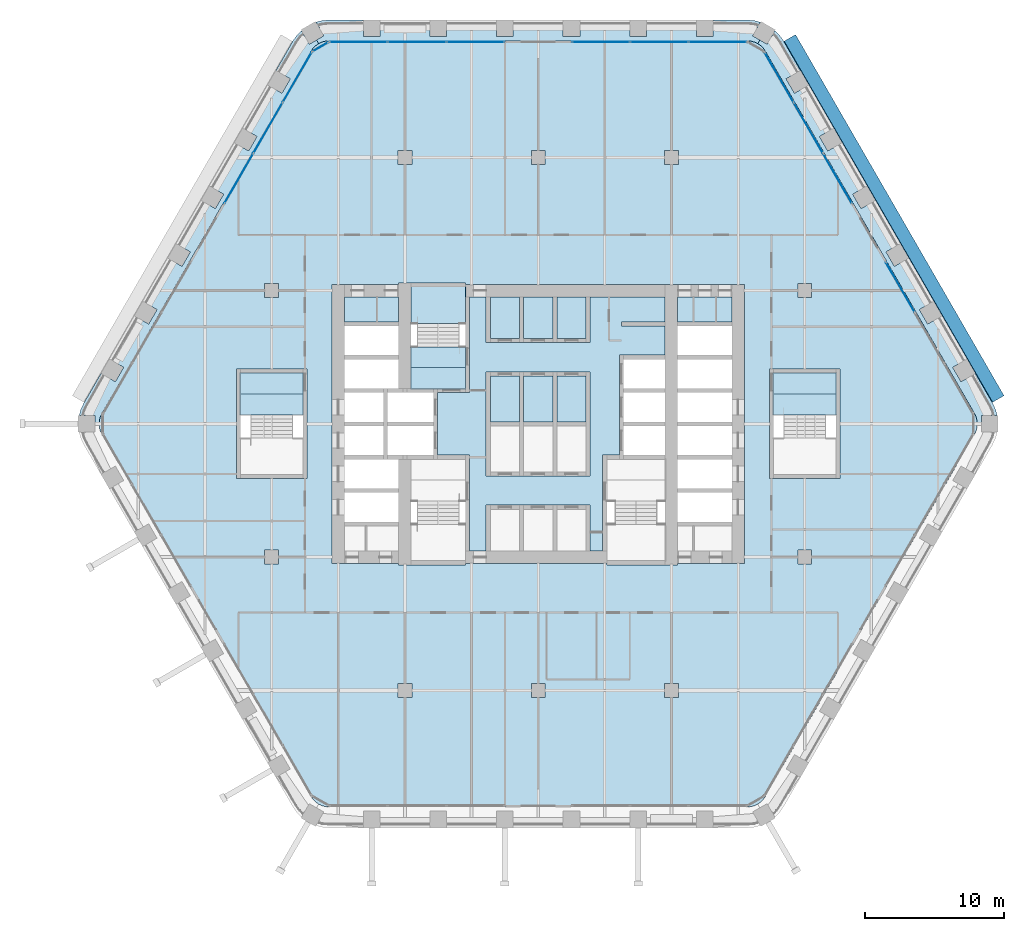
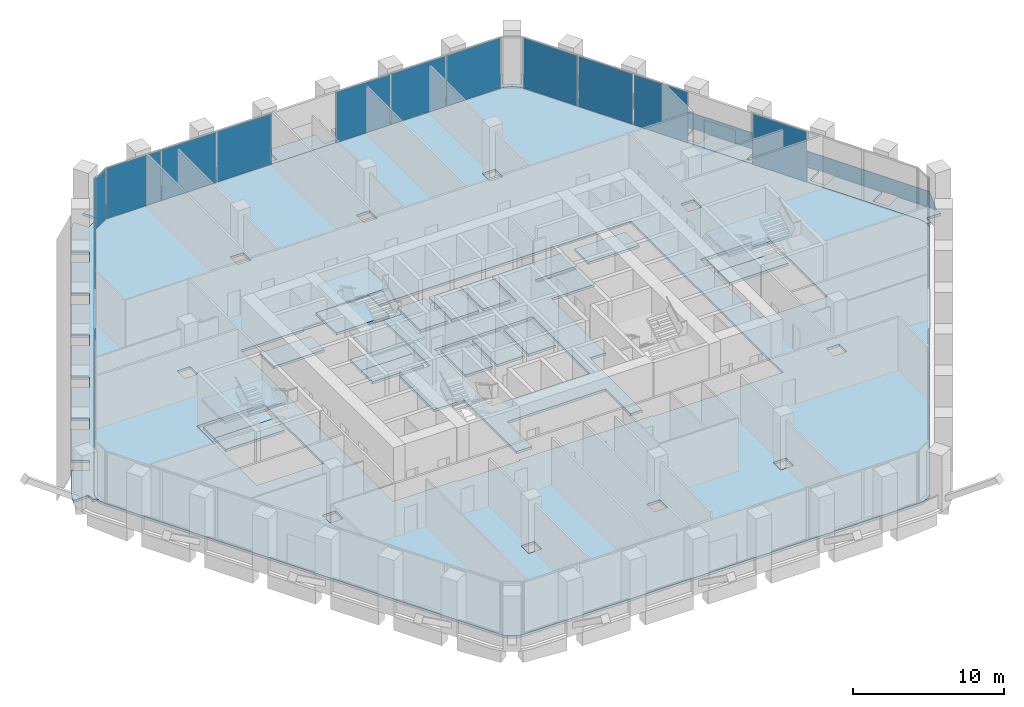
# One storey, part 13 of 26: 24 slabs, 15 plates, 9 elements without a shape of their own.
"""IFC4 building model written with IfcOpenShell, lengths in metres."""

from ifc_helpers import new_model, si_unit, direction, frame, origin, origin_2d, place, context, subcontext, project, spatial, polyline, rectangle, outline, extrude, material, layer, layer_set, type_object, element, aggregate, save


model = new_model("IFC4")

# Units and contexts
model_context = context("Model", 3, precision=1e-05, world=origin(), true_north=direction((0.0, 1.0)))
body_context = subcontext(model_context, "Body", "Model", "MODEL_VIEW")
ifc_project = project(units=[si_unit("LENGTHUNIT", "METRE"), si_unit("AREAUNIT", "SQUARE_METRE"), si_unit("VOLUMEUNIT", "CUBIC_METRE"), si_unit("PLANEANGLEUNIT", "RADIAN"), si_unit("MASSUNIT", "GRAM", prefix="KILO")], contexts=[model_context])

# Site, building, storey
site_placement = place(None, origin())
site = spatial("IfcSite", under=ifc_project, at=site_placement, CompositionType="ELEMENT")
building_placement = place(site_placement, origin())
building = spatial("IfcBuilding", under=site, at=building_placement, Name="Kolab Exchange Tower", CompositionType="ELEMENT")
storey_placement = place(building_placement, frame((0.0, 0.0, 104.89990234375)))
storey = spatial("IfcBuildingStorey", under=building, at=storey_placement, Name="L20", CompositionType="ELEMENT", Elevation=104.89990234375)

# Slabs
ifc_material_1 = material(Name="Concrete C35/45", Category="concrete")
ifc_layer_1 = layer(ifc_material_1, 0.199951171875)
ifc_layer_set_1 = layer_set([ifc_layer_1], Name="Concrete C35/45")
slab_type_1 = type_object("IfcSlabType", Name="FLOOR SLAB 200", PredefinedType="FLOOR", material=ifc_layer_set_1)
slab_1_placement = place(storey_placement, frame((0.0, 0.0, -0.199951171875)))
element("IfcSlab", 1, at=slab_1_placement, inside=storey, type_object=slab_type_1, Name="slab/L20/floor/0", PredefinedType="FLOOR", context=body_context, shape_type="SweptSolid", body=[
    extrude(outline(polyline([(16.366943359375, -26.848388671875), (31.434814453125, -0.75), (31.54541015625, -0.512939453125), (31.613037109375, -0.260498046875), (31.635986328125, 0.0), (31.613037109375, 0.260498046875), (31.54541015625, 0.512939453125), (31.434814453125, 0.75), (16.366943359375, 26.848388671875), (16.217041015625, 27.062744140625), (16.0322265625, 27.24755859375), (15.81787109375, 27.3974609375), (15.5810546875, 27.508056640625), (15.328369140625, 27.57568359375), (15.06787109375, 27.598388671875), (-15.06787109375, 27.598388671875), (-15.328369140625, 27.57568359375), (-15.5810546875, 27.508056640625), (-15.81787109375, 27.3974609375), (-16.0322265625, 27.24755859375), (-16.217041015625, 27.062744140625), (-16.366943359375, 26.848388671875), (-31.434814453125, 0.75), (-31.54541015625, 0.512939453125), (-31.613037109375, 0.260498046875), (-31.635986328125, 0.0), (-31.613037109375, -0.260498046875), (-31.54541015625, -0.512939453125), (-31.434814453125, -0.75), (-16.366943359375, -26.848388671875), (-16.217041015625, -27.062744140625), (-16.0322265625, -27.24755859375), (-15.81787109375, -27.3974609375), (-15.5810546875, -27.508056640625), (-15.328369140625, -27.57568359375), (-15.06787109375, -27.598388671875), (15.06787109375, -27.598388671875), (15.328369140625, -27.57568359375), (15.5810546875, -27.508056640625), (15.81787109375, -27.3974609375), (16.0322265625, -27.24755859375), (16.217041015625, -27.062744140625), (16.366943359375, -26.848388671875)]), holes=[polyline([(-13.949951171875, -10.050048828125), (-14.85009765625, -10.050048828125), (-14.85009765625, 10.050048828125), (-13.949951171875, 10.050048828125), (-10.050048828125, 10.050048828125), (-10.050048828125, 10.14990234375), (-9.14990234375, 10.14990234375), (-5.25, 10.14990234375), (-5.25, 10.050048828125), (9.14990234375, 10.050048828125), (10.050048828125, 10.050048828125), (13.949951171875, 10.050048828125), (14.85009765625, 10.050048828125), (14.85009765625, -10.050048828125), (13.949951171875, -10.050048828125), (10.050048828125, -10.050048828125), (10.050048828125, -10.14990234375), (9.14990234375, -10.14990234375), (4.949951171875, -10.14990234375), (4.949951171875, -10.050048828125), (-5.25, -10.050048828125), (-5.25, -10.14990234375), (-9.14990234375, -10.14990234375), (-10.050048828125, -10.14990234375), (-10.050048828125, -10.050048828125), (-13.949951171875, -10.050048828125)]), polyline([(-18.699951171875, -9.10009765625), (-18.699951171875, -10.10009765625), (-19.699951171875, -10.10009765625), (-19.699951171875, -9.10009765625), (-18.699951171875, -9.10009765625)]), polyline([(-21.449951171875, -3.949951171875), (-21.75, -3.949951171875), (-21.75, 3.949951171875), (-21.449951171875, 3.949951171875), (-16.949951171875, 3.949951171875), (-16.64990234375, 3.949951171875), (-16.64990234375, -3.949951171875), (-16.949951171875, -3.949951171875), (-21.449951171875, -3.949951171875)]), polyline([(-18.699951171875, 10.10009765625), (-18.699951171875, 9.10009765625), (-19.699951171875, 9.10009765625), (-19.699951171875, 10.10009765625), (-18.699951171875, 10.10009765625)]), polyline([(-9.10009765625, -18.699951171875), (-9.10009765625, -19.699951171875), (-10.10009765625, -19.699951171875), (-10.10009765625, -18.699951171875), (-9.10009765625, -18.699951171875)]), polyline([(-9.10009765625, 19.699951171875), (-9.10009765625, 18.699951171875), (-10.10009765625, 18.699951171875), (-10.10009765625, 19.699951171875), (-9.10009765625, 19.699951171875)]), polyline([(9.10009765625, -18.699951171875), (10.10009765625, -18.699951171875), (10.10009765625, -19.699951171875), (9.10009765625, -19.699951171875), (9.10009765625, -18.699951171875)]), polyline([(-0.5, -18.699951171875), (0.5, -18.699951171875), (0.5, -19.699951171875), (-0.5, -19.699951171875), (-0.5, -18.699951171875)]), polyline([(0.5, 19.699951171875), (0.5, 18.699951171875), (-0.5, 18.699951171875), (-0.5, 19.699951171875), (0.5, 19.699951171875)]), polyline([(10.10009765625, 19.699951171875), (10.10009765625, 18.699951171875), (9.10009765625, 18.699951171875), (9.10009765625, 19.699951171875), (10.10009765625, 19.699951171875)]), polyline([(19.699951171875, -9.10009765625), (19.699951171875, -10.10009765625), (18.699951171875, -10.10009765625), (18.699951171875, -9.10009765625), (19.699951171875, -9.10009765625)]), polyline([(21.449951171875, 3.949951171875), (21.75, 3.949951171875), (21.75, -3.949951171875), (21.449951171875, -3.949951171875), (16.949951171875, -3.949951171875), (16.64990234375, -3.949951171875), (16.64990234375, 3.949951171875), (16.949951171875, 3.949951171875), (21.449951171875, 3.949951171875)]), polyline([(19.699951171875, 10.10009765625), (19.699951171875, 9.10009765625), (18.699951171875, 9.10009765625), (18.699951171875, 10.10009765625), (19.699951171875, 10.10009765625)])]), origin(), (0.0, 0.0, 1.0), 0.199951171875),
])
slab_2_placement = place(storey_placement, frame((0.0, 0.0, -0.199951171875)))
element("IfcSlab", 2, at=slab_2_placement, inside=storey, type_object=slab_type_1, Name="slab/L20/floor/1", PredefinedType="FLOOR", context=body_context, shape_type="SweptSolid", body=[
    extrude(outline(polyline([(-4.949951171875, 9.14990234375), (-4.949951171875, 2.25), (-5.25, 2.25), (-7.25, 2.25), (-7.25, -2.25), (-5.25, -2.25), (-4.949951171875, -2.25), (-4.949951171875, -9.14990234375), (-3.75, -9.14990234375), (-3.75, -5.85009765625), (-3.449951171875, -5.85009765625), (-1.35009765625, -5.85009765625), (-1.050048828125, -5.85009765625), (1.050048828125, -5.85009765625), (1.35009765625, -5.85009765625), (3.449951171875, -5.85009765625), (3.75, -5.85009765625), (3.75, -9.14990234375), (4.64990234375, -9.14990234375), (4.64990234375, -2.25), (4.949951171875, -2.25), (5.85009765625, -2.25), (5.85009765625, 4.949951171875), (6.14990234375, 4.949951171875), (9.14990234375, 4.949951171875), (9.14990234375, 7.050048828125), (6.0, 7.050048828125), (6.0, 7.35009765625), (9.14990234375, 7.35009765625), (9.14990234375, 9.14990234375), (3.75, 9.14990234375), (3.75, 5.85009765625), (3.449951171875, 5.85009765625), (1.35009765625, 5.85009765625), (1.050048828125, 5.85009765625), (-1.050048828125, 5.85009765625), (-1.35009765625, 5.85009765625), (-3.449951171875, 5.85009765625), (-3.75, 5.85009765625), (-3.75, 9.14990234375), (-4.949951171875, 9.14990234375)]), holes=[polyline([(-3.75, -3.75), (-3.75, 3.75), (-3.449951171875, 3.75), (-1.35009765625, 3.75), (-1.050048828125, 3.75), (1.050048828125, 3.75), (1.35009765625, 3.75), (3.449951171875, 3.75), (3.75, 3.75), (3.75, -3.75), (3.449951171875, -3.75), (1.35009765625, -3.75), (1.050048828125, -3.75), (-1.050048828125, -3.75), (-1.35009765625, -3.75), (-3.449951171875, -3.75), (-3.75, -3.75)])]), origin(), (0.0, 0.0, 1.0), 0.199951171875),
])
slab_3_placement = place(storey_placement, frame((0.0, 0.0, -0.199951171875)))
element("IfcSlab", 3, at=slab_3_placement, inside=storey, type_object=slab_type_1, Name="slab/L20/floor/3", PredefinedType="FLOOR", context=body_context, shape_type="SweptSolid", body=[
    extrude(outline(polyline([(-10.050048828125, 9.14990234375), (-13.949951171875, 9.14990234375), (-13.949951171875, 7.35009765625), (-10.050048828125, 7.35009765625), (-10.050048828125, 9.14990234375)])), origin(), (0.0, 0.0, 1.0), 0.199951171875),
])
slab_4_placement = place(storey_placement, frame((0.0, 0.0, -0.199951171875)))
element("IfcSlab", 4, at=slab_4_placement, inside=storey, type_object=slab_type_1, Name="slab/L20/floor/5", PredefinedType="FLOOR", context=body_context, shape_type="SweptSolid", body=[
    extrude(outline(polyline([(13.949951171875, 9.14990234375), (10.050048828125, 9.14990234375), (10.050048828125, 7.35009765625), (13.949951171875, 7.35009765625), (13.949951171875, 9.14990234375)])), origin(), (0.0, 0.0, 1.0), 0.199951171875),
])
slab_5_placement = place(storey_placement, frame((0.0, 0.0, -0.199951171875)))
element("IfcSlab", 5, at=slab_5_placement, inside=storey, type_object=slab_type_1, Name="slab/L20/floor/7", PredefinedType="FLOOR", context=body_context, shape_type="SweptSolid", body=[
    extrude(outline(polyline([(-1.35009765625, 0.14990234375), (-1.35009765625, 3.449951171875), (-3.449951171875, 3.449951171875), (-3.449951171875, 0.14990234375), (-1.35009765625, 0.14990234375)])), origin(), (0.0, 0.0, 1.0), 0.199951171875),
])
slab_6_placement = place(storey_placement, frame((0.0, 0.0, -0.199951171875)))
element("IfcSlab", 6, at=slab_6_placement, inside=storey, type_object=slab_type_1, Name="slab/L20/floor/9", PredefinedType="FLOOR", context=body_context, shape_type="SweptSolid", body=[
    extrude(outline(polyline([(-1.050048828125, 3.449951171875), (-1.050048828125, 0.14990234375), (1.050048828125, 0.14990234375), (1.050048828125, 3.449951171875), (-1.050048828125, 3.449951171875)])), origin(), (0.0, 0.0, 1.0), 0.199951171875),
])
slab_7_placement = place(storey_placement, frame((0.0, 0.0, -0.199951171875)))
element("IfcSlab", 7, at=slab_7_placement, inside=storey, type_object=slab_type_1, Name="slab/L20/floor/11", PredefinedType="FLOOR", context=body_context, shape_type="SweptSolid", body=[
    extrude(outline(polyline([(1.35009765625, 0.14990234375), (3.449951171875, 0.14990234375), (3.449951171875, 3.449951171875), (1.35009765625, 3.449951171875), (1.35009765625, 0.14990234375)])), origin(), (0.0, 0.0, 1.0), 0.199951171875),
])
slab_8_placement = place(storey_placement, frame((0.0, 0.0, -0.199951171875)))
element("IfcSlab", 8, at=slab_8_placement, inside=storey, type_object=slab_type_1, Name="slab/L20/floor/12", PredefinedType="FLOOR", context=body_context, shape_type="SweptSolid", body=[
    extrude(outline(polyline([(-21.449951171875, 3.64990234375), (-21.449951171875, 2.14990234375), (-16.949951171875, 2.14990234375), (-16.949951171875, 3.64990234375), (-21.449951171875, 3.64990234375)])), origin(), (0.0, 0.0, 1.0), 0.199951171875),
])
slab_9_placement = place(storey_placement, frame((0.0, 0.0, -0.199951171875)))
element("IfcSlab", 9, at=slab_9_placement, inside=storey, type_object=slab_type_1, Name="slab/L20/floor/13", PredefinedType="FLOOR", context=body_context, shape_type="SweptSolid", body=[
    extrude(outline(polyline([(21.449951171875, 3.64990234375), (16.949951171875, 3.64990234375), (16.949951171875, 2.14990234375), (21.449951171875, 2.14990234375), (21.449951171875, 3.64990234375)])), origin(), (0.0, 0.0, 1.0), 0.199951171875),
])
slab_10_placement = place(storey_placement, frame((0.0, 0.0, -0.199951171875)))
element("IfcSlab", 10, at=slab_10_placement, inside=storey, type_object=slab_type_1, Name="slab/L20/floor/15", PredefinedType="FLOOR", context=body_context, shape_type="SweptSolid", body=[
    extrude(outline(polyline([(-1.35009765625, 6.14990234375), (-1.35009765625, 9.14990234375), (-3.449951171875, 9.14990234375), (-3.449951171875, 6.14990234375), (-1.35009765625, 6.14990234375)])), origin(), (0.0, 0.0, 1.0), 0.199951171875),
])
slab_11_placement = place(storey_placement, frame((0.0, 0.0, -0.199951171875)))
element("IfcSlab", 11, at=slab_11_placement, inside=storey, type_object=slab_type_1, Name="slab/L20/floor/17", PredefinedType="FLOOR", context=body_context, shape_type="SweptSolid", body=[
    extrude(outline(polyline([(-1.050048828125, 9.14990234375), (-1.050048828125, 6.14990234375), (1.050048828125, 6.14990234375), (1.050048828125, 9.14990234375), (-1.050048828125, 9.14990234375)])), origin(), (0.0, 0.0, 1.0), 0.199951171875),
])
slab_12_placement = place(storey_placement, frame((0.0, 0.0, -0.199951171875)))
element("IfcSlab", 12, at=slab_12_placement, inside=storey, type_object=slab_type_1, Name="slab/L20/floor/19", PredefinedType="FLOOR", context=body_context, shape_type="SweptSolid", body=[
    extrude(outline(polyline([(1.35009765625, 6.14990234375), (3.449951171875, 6.14990234375), (3.449951171875, 9.14990234375), (1.35009765625, 9.14990234375), (1.35009765625, 6.14990234375)])), origin(), (0.0, 0.0, 1.0), 0.199951171875),
])
slab_13_placement = place(storey_placement, frame((0.0, 0.0, -0.199951171875)))
element("IfcSlab", 13, at=slab_13_placement, inside=storey, type_object=slab_type_1, Name="slab/L20/floor/22", PredefinedType="FLOOR", context=body_context, shape_type="SweptSolid", body=[
    extrude(outline(polyline([(-5.25, 4.050048828125), (-9.14990234375, 4.050048828125), (-9.14990234375, 2.550048828125), (-7.550048828125, 2.550048828125), (-7.25, 2.550048828125), (-5.25, 2.550048828125), (-5.25, 4.050048828125)])), origin(), (0.0, 0.0, 1.0), 0.199951171875),
])
ifc_layer_2 = layer(ifc_material_1, 0.199951171875)
ifc_layer_set_2 = layer_set([ifc_layer_2], Name="Concrete C35/45")
slab_type_2 = type_object("IfcSlabType", Name="LOGGIA SLAB 200", PredefinedType="FLOOR", material=ifc_layer_set_2)
slab_14_placement = place(storey_placement, frame((0.0, 0.0, -0.199951171875)))
element("IfcSlab", 14, at=slab_14_placement, inside=storey, type_object=slab_type_2, Name="slab/L20/loggia/0-0", PredefinedType="FLOOR", context=body_context, shape_type="SweptSolid", body=[
    extrude(outline(polyline([(15.81787109375, 27.3974609375), (15.968017578125, 27.6572265625), (15.4482421875, 27.957275390625), (16.014892578125, 28.938720703125), (15.5888671875, 29.052978515625), (15.06787109375, 29.098388671875), (12.60009765625, 29.098388671875), (12.60009765625, 27.8984375), (11.39990234375, 27.8984375), (11.39990234375, 29.098388671875), (7.800048828125, 29.098388671875), (7.800048828125, 27.8984375), (6.60009765625, 27.8984375), (6.60009765625, 29.098388671875), (3.0, 29.098388671875), (3.0, 27.8984375), (1.800048828125, 27.8984375), (1.800048828125, 29.098388671875), (-1.800048828125, 29.098388671875), (-1.800048828125, 27.8984375), (-3.0, 27.8984375), (-3.0, 29.098388671875), (-6.60009765625, 29.098388671875), (-6.60009765625, 27.8984375), (-7.800048828125, 27.8984375), (-7.800048828125, 29.098388671875), (-11.39990234375, 29.098388671875), (-11.39990234375, 27.8984375), (-12.60009765625, 27.8984375), (-12.60009765625, 29.098388671875), (-15.06787109375, 29.098388671875), (-15.5888671875, 29.052978515625), (-16.014892578125, 28.938720703125), (-15.4482421875, 27.957275390625), (-15.968017578125, 27.6572265625), (-15.81787109375, 27.3974609375), (-15.5810546875, 27.508056640625), (-15.328369140625, 27.57568359375), (-15.06787109375, 27.598388671875), (15.06787109375, 27.598388671875), (15.328369140625, 27.57568359375), (15.5810546875, 27.508056640625), (15.81787109375, 27.3974609375)])), origin(), (0.0, 0.0, 1.0), 0.199951171875),
])
slab_15_placement = place(storey_placement, frame((0.0, 0.0, -0.199951171875)))
element("IfcSlab", 15, at=slab_15_placement, inside=storey, type_object=slab_type_2, Name="slab/L20/loggia/1-0", PredefinedType="FLOOR", context=body_context, shape_type="SweptSolid", body=[
    extrude(outline(polyline([(31.635986328125, 0.0), (31.935791015625, 0.0), (31.935791015625, 0.60009765625), (33.069091796875, 0.60009765625), (32.955078125, 1.026123046875), (32.73388671875, 1.5), (31.5, 3.63720703125), (30.460693359375, 3.037353515625), (29.86083984375, 4.076416015625), (30.89990234375, 4.676513671875), (29.10009765625, 7.794189453125), (28.060791015625, 7.1943359375), (27.460693359375, 8.2333984375), (28.5, 8.83349609375), (26.699951171875, 11.951171875), (25.660888671875, 11.35107421875), (25.060791015625, 12.390380859375), (26.10009765625, 12.990478515625), (24.300048828125, 16.108154296875), (23.2607421875, 15.508056640625), (22.660888671875, 16.54736328125), (23.699951171875, 17.147216796875), (21.89990234375, 20.264892578125), (20.86083984375, 19.6650390625), (20.2607421875, 20.704345703125), (21.300048828125, 21.30419921875), (19.5, 24.421875), (18.460693359375, 23.822021484375), (17.86083984375, 24.861083984375), (18.89990234375, 25.461181640625), (17.666015625, 27.598388671875), (17.365966796875, 28.02685546875), (17.05419921875, 28.338623046875), (16.487548828125, 27.357177734375), (15.968017578125, 27.6572265625), (15.81787109375, 27.3974609375), (16.0322265625, 27.24755859375), (16.217041015625, 27.062744140625), (16.366943359375, 26.848388671875), (31.434814453125, 0.75), (31.54541015625, 0.512939453125), (31.613037109375, 0.260498046875), (31.635986328125, 0.0)])), origin(), (0.0, 0.0, 1.0), 0.199951171875),
])
slab_16_placement = place(storey_placement, frame((0.0, 0.0, -0.199951171875)))
element("IfcSlab", 16, at=slab_16_placement, inside=storey, type_object=slab_type_2, Name="slab/L20/loggia/5-0", PredefinedType="FLOOR", context=body_context, shape_type="SweptSolid", body=[
    extrude(outline(polyline([(-15.81787109375, 27.3974609375), (-15.968017578125, 27.6572265625), (-16.487548828125, 27.357177734375), (-17.05419921875, 28.338623046875), (-17.365966796875, 28.02685546875), (-17.666015625, 27.598388671875), (-18.89990234375, 25.461181640625), (-17.86083984375, 24.861083984375), (-18.460693359375, 23.822021484375), (-19.5, 24.421875), (-21.300048828125, 21.30419921875), (-20.2607421875, 20.704345703125), (-20.86083984375, 19.6650390625), (-21.89990234375, 20.264892578125), (-23.699951171875, 17.147216796875), (-22.660888671875, 16.54736328125), (-23.2607421875, 15.508056640625), (-24.300048828125, 16.108154296875), (-26.10009765625, 12.990478515625), (-25.060791015625, 12.390380859375), (-25.660888671875, 11.35107421875), (-26.699951171875, 11.951171875), (-28.5, 8.83349609375), (-27.460693359375, 8.2333984375), (-28.060791015625, 7.1943359375), (-29.10009765625, 7.794189453125), (-30.89990234375, 4.676513671875), (-29.86083984375, 4.076416015625), (-30.460693359375, 3.037353515625), (-31.5, 3.63720703125), (-32.73388671875, 1.5), (-32.955078125, 1.026123046875), (-33.069091796875, 0.60009765625), (-31.935791015625, 0.60009765625), (-31.935791015625, 0.0), (-31.635986328125, 0.0), (-31.613037109375, 0.260498046875), (-31.54541015625, 0.512939453125), (-31.434814453125, 0.75), (-16.366943359375, 26.848388671875), (-16.217041015625, 27.062744140625), (-16.0322265625, 27.24755859375), (-15.81787109375, 27.3974609375)])), origin(), (0.0, 0.0, 1.0), 0.199951171875),
])

# Plate
ifc_material_2 = material(Name="Laminated glass, clear", Category="glass")
ifc_layer_3 = layer(ifc_material_2, 0.0400390625)
ifc_layer_set_3 = layer_set([ifc_layer_3], Name="Laminated glass, clear")
plate_type_1 = type_object("IfcPlateType", Name="OUTER SKIN LAMINATED GLASS SHEET 40", PredefinedType="SHEET", material=ifc_layer_set_3)
plate_1_placement = place(storey_placement, frame((18.540283203125, 28.04541015625, -0.73291015625), z_axis=(0.78488749746, 0.453155039209, 0.422613448403), x_axis=(0.499999167166, -0.866025884618, 2.126414e-06)))
element("IfcPlate", 17, at=plate_1_placement, inside=storey, type_object=plate_type_1, Name="Outer skin", PredefinedType="SHEET", context=body_context, shape_type="SweptSolid", body=[
    extrude(outline(polyline([(0.0, 0.0), (30.035931798469555, 0.0), (30.035821559359643, -2.2341565300489714), (-2.087711834573829e-05, -2.2342974723957343), (0.0, 0.0)])), origin(), (0.0, 0.0, -1.0), 0.0400390625),
])

# Stair, slabs
ifc_material_3 = material(Name="Concrete C50/60", Category="concrete")
stair_type_1 = type_object("IfcStairType", Name="STAIR ST1 RISER 160.7", PredefinedType="DOUBLE_RETURN_STAIR", material=ifc_material_3)
stair_1_placement = place(storey_placement, origin())
stair_1 = element("IfcStair", 18, at=stair_1_placement, inside=storey, type_object=stair_type_1, Name="Stair 1", PredefinedType="DOUBLE_RETURN_STAIR")
ifc_layer_4 = layer(ifc_material_3, 0.199951171875)
ifc_layer_set_4 = layer_set([ifc_layer_4], Name="Concrete C50/60")
slab_type_3 = type_object("IfcSlabType", Name="STAIR LANDING 200", PredefinedType="LANDING", material=ifc_layer_set_4)
slab_17_placement = place(storey_placement, frame((0.0, 0.0, -0.199951171875)))
slab_17 = element("IfcSlab", 19, at=slab_17_placement, type_object=slab_type_3, Name="ST1 landing 1", PredefinedType="LANDING", context=body_context, shape_type="SweptSolid", body=[
    extrude(outline(polyline([(-9.14990234375, 4.050048828125), (-5.25, 4.050048828125), (-5.25, 5.550048828125), (-9.14990234375, 5.550048828125), (-9.14990234375, 4.050048828125)])), origin(), (0.0, 0.0, 1.0), 0.199951171875),
])
slab_18_placement = place(storey_placement, frame((0.0, 0.0, 0.925048828125)))
slab_18 = element("IfcSlab", 20, at=slab_18_placement, type_object=slab_type_3, Name="ST1 landing 2", PredefinedType="LANDING", context=body_context, shape_type="SweptSolid", body=[
    extrude(outline(polyline([(-9.2099609375, 7.22998046875), (-5.18994140625, 7.22998046875), (-5.18994140625, 9.909912109375), (-9.2099609375, 9.909912109375), (-9.2099609375, 7.22998046875)])), origin(), (0.0, 0.0, 1.0), 0.199951171875),
])
slab_19_placement = place(storey_placement, frame((0.0, 0.0, 2.050048828125)))
slab_19 = element("IfcSlab", 21, at=slab_19_placement, type_object=slab_type_3, Name="ST1 landing 3", PredefinedType="LANDING", context=body_context, shape_type="SweptSolid", body=[
    extrude(outline(polyline([(-9.2099609375, 2.489990234375), (-5.18994140625, 2.489990234375), (-5.18994140625, 5.550048828125), (-9.2099609375, 5.550048828125), (-9.2099609375, 2.489990234375)])), origin(), (0.0, 0.0, 1.0), 0.199951171875),
])
slab_20_placement = place(storey_placement, frame((0.0, 0.0, 3.175048828125)))
slab_20 = element("IfcSlab", 22, at=slab_20_placement, type_object=slab_type_3, Name="ST1 landing 4", PredefinedType="LANDING", context=body_context, shape_type="SweptSolid", body=[
    extrude(outline(polyline([(-9.14990234375, 7.22998046875), (-5.25, 7.22998046875), (-5.25, 9.909912109375), (-9.14990234375, 9.909912109375), (-9.14990234375, 7.22998046875)])), origin(), (0.0, 0.0, 1.0), 0.199951171875),
])
aggregate(stair_1, [slab_17, slab_18, slab_19, slab_20])

stair_type_2 = type_object("IfcStairType", Name="STAIR ST4 RISER 160.7", PredefinedType="DOUBLE_RETURN_STAIR", material=ifc_material_3)
stair_2_placement = place(storey_placement, origin())
stair_2 = element("IfcStair", 23, at=stair_2_placement, inside=storey, type_object=stair_type_2, Name="Stair 4", PredefinedType="DOUBLE_RETURN_STAIR")
slab_21_placement = place(storey_placement, frame((0.0, 0.0, -0.199951171875)))
slab_21 = element("IfcSlab", 24, at=slab_21_placement, type_object=slab_type_3, Name="ST4 landing 1", PredefinedType="LANDING", context=body_context, shape_type="SweptSolid", body=[
    extrude(outline(polyline([(16.949951171875, 0.64990234375), (21.449951171875, 0.64990234375), (21.449951171875, 2.14990234375), (16.949951171875, 2.14990234375), (16.949951171875, 0.64990234375)])), origin(), (0.0, 0.0, 1.0), 0.199951171875),
])
slab_22_placement = place(storey_placement, frame((0.0, 0.0, 2.050048828125)))
slab_22 = element("IfcSlab", 25, at=slab_22_placement, type_object=slab_type_3, Name="ST4 landing 3", PredefinedType="LANDING", context=body_context, shape_type="SweptSolid", body=[
    extrude(outline(polyline([(16.889892578125, 0.64990234375), (21.510009765625, 0.64990234375), (21.510009765625, 3.7099609375), (16.889892578125, 3.7099609375), (16.889892578125, 0.64990234375)])), origin(), (0.0, 0.0, 1.0), 0.199951171875),
])
aggregate(stair_2, [slab_21, slab_22])

stair_type_3 = type_object("IfcStairType", Name="STAIR ST5 RISER 160.7", PredefinedType="DOUBLE_RETURN_STAIR", material=ifc_material_3)
stair_3_placement = place(storey_placement, origin())
stair_3 = element("IfcStair", 26, at=stair_3_placement, inside=storey, type_object=stair_type_3, Name="Stair 5", PredefinedType="DOUBLE_RETURN_STAIR")
slab_23_placement = place(storey_placement, frame((0.0, 0.0, -0.199951171875)))
slab_23 = element("IfcSlab", 27, at=slab_23_placement, type_object=slab_type_3, Name="ST5 landing 1", PredefinedType="LANDING", context=body_context, shape_type="SweptSolid", body=[
    extrude(outline(polyline([(-21.449951171875, 0.64990234375), (-16.949951171875, 0.64990234375), (-16.949951171875, 2.14990234375), (-21.449951171875, 2.14990234375), (-21.449951171875, 0.64990234375)])), origin(), (0.0, 0.0, 1.0), 0.199951171875),
])
slab_24_placement = place(storey_placement, frame((0.0, 0.0, 2.050048828125)))
slab_24 = element("IfcSlab", 28, at=slab_24_placement, type_object=slab_type_3, Name="ST5 landing 3", PredefinedType="LANDING", context=body_context, shape_type="SweptSolid", body=[
    extrude(outline(polyline([(-21.510009765625, 0.64990234375), (-16.889892578125, 0.64990234375), (-16.889892578125, 3.7099609375), (-21.510009765625, 3.7099609375), (-21.510009765625, 0.64990234375)])), origin(), (0.0, 0.0, 1.0), 0.199951171875),
])
aggregate(stair_3, [slab_23, slab_24])

# Curtain wall, plates
ifc_material_4 = material(Name="Aluminium EN AW-6063 T6", Category="aluminium")
curtain_wall_type = type_object("IfcCurtainWallType", Name="UNITISED LOWER MID ZONE CURTAIN WALL", PredefinedType="NOTDEFINED", material=ifc_material_4)
curtain_wall_1_placement = place(storey_placement, origin())
curtain_wall_1 = element("IfcCurtainWall", 29, at=curtain_wall_1_placement, inside=storey, type_object=curtain_wall_type, Name="cw/L20/F1-1", PredefinedType="NOTDEFINED")
ifc_material_5 = material(Name="Clear insulated glazing unit", Category="glass")
ifc_layer_5 = layer(ifc_material_5, 0.02587890625)
ifc_layer_set_5 = layer_set([ifc_layer_5], Name="Clear insulated glazing unit")
plate_type_2 = type_object("IfcPlateType", Name="UNITISED LOWER MID ZONE GLASS PANEL 26", PredefinedType="CURTAIN_PANEL", material=ifc_layer_set_5)
plate_2_placement = place(storey_placement, frame((-12.941650390625, 27.5185546875, 0.06005859375), z_axis=(0.0, 0.0, 1.0), x_axis=(1.0, 0.0, 0.0)))
plate_2 = element("IfcPlate", 30, at=plate_2_placement, type_object=plate_type_2, Name="CW2 panel 1.1", PredefinedType="CURTAIN_PANEL", context=body_context, shape_type="SweptSolid", body=[
    extrude(rectangle(XDim=4.132568359375, YDim=0.02587890625, at=origin_2d()), origin(), (0.0, 0.0, 1.0), 4.080078125),
])
plate_3_placement = place(storey_placement, frame((-8.73388671875, 27.5185546875, 0.06005859375), z_axis=(0.0, 0.0, 1.0), x_axis=(1.0, 0.0, 0.0)))
plate_3 = element("IfcPlate", 31, at=plate_3_placement, type_object=plate_type_2, Name="CW2 panel 2.1", PredefinedType="CURTAIN_PANEL", context=body_context, shape_type="SweptSolid", body=[
    extrude(rectangle(XDim=4.16259765625, YDim=0.02587890625, at=origin_2d()), origin(), (0.0, 0.0, 1.0), 4.080078125),
])
plate_4_placement = place(storey_placement, frame((-4.5263671875, 27.5185546875, 0.06005859375), z_axis=(0.0, 0.0, 1.0), x_axis=(1.0, 0.0, 0.0)))
plate_4 = element("IfcPlate", 32, at=plate_4_placement, type_object=plate_type_2, Name="CW2 panel 3.1", PredefinedType="CURTAIN_PANEL", context=body_context, shape_type="SweptSolid", body=[
    extrude(rectangle(XDim=4.132568359375, YDim=0.02587890625, at=origin_2d()), origin(), (0.0, 0.0, 1.0), 4.080078125),
])
aggregate(curtain_wall_1, [plate_2, plate_3, plate_4])

curtain_wall_2_placement = place(storey_placement, origin())
curtain_wall_2 = element("IfcCurtainWall", 33, at=curtain_wall_2_placement, inside=storey, type_object=curtain_wall_type, Name="cw/L20/F1-2", PredefinedType="NOTDEFINED")
plate_5_placement = place(storey_placement, frame((4.5263671875, 27.5185546875, 0.06005859375), z_axis=(0.0, 0.0, 1.0), x_axis=(1.0, 0.0, 0.0)))
plate_5 = element("IfcPlate", 34, at=plate_5_placement, type_object=plate_type_2, Name="CW2 panel 1.1", PredefinedType="CURTAIN_PANEL", context=body_context, shape_type="SweptSolid", body=[
    extrude(rectangle(XDim=4.132568359375, YDim=0.02587890625, at=origin_2d()), origin(), (0.0, 0.0, 1.0), 4.080078125),
])
plate_6_placement = place(storey_placement, frame((8.73388671875, 27.5185546875, 0.06005859375), z_axis=(0.0, 0.0, 1.0), x_axis=(1.0, 0.0, 0.0)))
plate_6 = element("IfcPlate", 35, at=plate_6_placement, type_object=plate_type_2, Name="CW2 panel 2.1", PredefinedType="CURTAIN_PANEL", context=body_context, shape_type="SweptSolid", body=[
    extrude(rectangle(XDim=4.16259765625, YDim=0.02587890625, at=origin_2d()), origin(), (0.0, 0.0, 1.0), 4.080078125),
])
plate_7_placement = place(storey_placement, frame((12.941650390625, 27.5185546875, 0.06005859375), z_axis=(0.0, 0.0, 1.0), x_axis=(1.0, 0.0, 0.0)))
plate_7 = element("IfcPlate", 36, at=plate_7_placement, type_object=plate_type_2, Name="CW2 panel 3.1", PredefinedType="CURTAIN_PANEL", context=body_context, shape_type="SweptSolid", body=[
    extrude(rectangle(XDim=4.132568359375, YDim=0.02587890625, at=origin_2d()), origin(), (0.0, 0.0, 1.0), 4.080078125),
])
aggregate(curtain_wall_2, [plate_5, plate_6, plate_7])

curtain_wall_3_placement = place(storey_placement, origin())
curtain_wall_3 = element("IfcCurtainWall", 37, at=curtain_wall_3_placement, inside=storey, type_object=curtain_wall_type, Name="cw/L20/F2-1", PredefinedType="NOTDEFINED")
plate_8_placement = place(storey_placement, frame((17.36083984375, 24.967041015625, 0.06005859375), z_axis=(0.0, 0.0, 1.0), x_axis=(0.500000017564, -0.866025393644, 0.0)))
plate_8 = element("IfcPlate", 38, at=plate_8_placement, type_object=plate_type_2, Name="CW2 panel 1.1", PredefinedType="CURTAIN_PANEL", context=body_context, shape_type="SweptSolid", body=[
    extrude(rectangle(XDim=4.132568359375, YDim=0.02587890625, at=origin_2d()), origin(), (0.0, 0.0, 1.0), 4.080078125),
])
plate_9_placement = place(storey_placement, frame((19.464599609375, 21.322998046875, 0.06005859375), z_axis=(0.0, 0.0, 1.0), x_axis=(0.500000017564, -0.866025393644, 0.0)))
plate_9 = element("IfcPlate", 39, at=plate_9_placement, type_object=plate_type_2, Name="CW2 panel 2.1", PredefinedType="CURTAIN_PANEL", context=body_context, shape_type="SweptSolid", body=[
    extrude(rectangle(XDim=4.16259765625, YDim=0.02587890625, at=origin_2d()), origin(), (0.0, 0.0, 1.0), 4.080078125),
])
plate_10_placement = place(storey_placement, frame((21.568603515625, 17.67919921875, 0.06005859375), z_axis=(0.0, 0.0, 1.0), x_axis=(0.500000017564, -0.866025393644, 0.0)))
plate_10 = element("IfcPlate", 40, at=plate_10_placement, type_object=plate_type_2, Name="CW2 panel 3.1", PredefinedType="CURTAIN_PANEL", context=body_context, shape_type="SweptSolid", body=[
    extrude(rectangle(XDim=4.132568359375, YDim=0.02587890625, at=origin_2d()), origin(), (0.0, 0.0, 1.0), 4.080078125),
])
aggregate(curtain_wall_3, [plate_8, plate_9, plate_10])

# Curtain wall, plate
curtain_wall_4_placement = place(storey_placement, origin())
curtain_wall_4 = element("IfcCurtainWall", 41, at=curtain_wall_4_placement, inside=storey, type_object=curtain_wall_type, Name="cw/L20/F2-2", PredefinedType="NOTDEFINED")
plate_11_placement = place(storey_placement, frame((26.0947265625, 9.83935546875, 0.06005859375), z_axis=(0.0, 0.0, 1.0), x_axis=(0.499999958358, -0.866025427826, 0.0)))
plate_11 = element("IfcPlate", 42, at=plate_11_placement, type_object=plate_type_2, Name="CW2 panel 1.1", PredefinedType="CURTAIN_PANEL", context=body_context, shape_type="SweptSolid", body=[
    extrude(rectangle(XDim=4.132568359375, YDim=0.02587890625, at=origin_2d()), origin(), (0.0, 0.0, 1.0), 4.080078125),
])
aggregate(curtain_wall_4, [plate_11])

# Curtain wall, plates
curtain_wall_5_placement = place(storey_placement, origin())
curtain_wall_5 = element("IfcCurtainWall", 43, at=curtain_wall_5_placement, inside=storey, type_object=curtain_wall_type, Name="cw/L20/F6-2", PredefinedType="NOTDEFINED")
plate_12_placement = place(storey_placement, frame((-21.568603515625, 17.67919921875, 0.06005859375), z_axis=(0.0, 0.0, 1.0), x_axis=(0.500000017564, 0.866025393644, 0.0)))
plate_12 = element("IfcPlate", 44, at=plate_12_placement, type_object=plate_type_2, Name="CW2 panel 1.1", PredefinedType="CURTAIN_PANEL", context=body_context, shape_type="SweptSolid", body=[
    extrude(rectangle(XDim=4.132568359375, YDim=0.02587890625, at=origin_2d()), origin(), (0.0, 0.0, 1.0), 4.080078125),
])
plate_13_placement = place(storey_placement, frame((-19.464599609375, 21.322998046875, 0.06005859375), z_axis=(0.0, 0.0, 1.0), x_axis=(0.500000017564, 0.866025393644, 0.0)))
plate_13 = element("IfcPlate", 45, at=plate_13_placement, type_object=plate_type_2, Name="CW2 panel 2.1", PredefinedType="CURTAIN_PANEL", context=body_context, shape_type="SweptSolid", body=[
    extrude(rectangle(XDim=4.16259765625, YDim=0.02587890625, at=origin_2d()), origin(), (0.0, 0.0, 1.0), 4.080078125),
])
plate_14_placement = place(storey_placement, frame((-17.36083984375, 24.967041015625, 0.06005859375), z_axis=(0.0, 0.0, 1.0), x_axis=(0.500000017564, 0.866025393644, 0.0)))
plate_14 = element("IfcPlate", 46, at=plate_14_placement, type_object=plate_type_2, Name="CW2 panel 3.1", PredefinedType="CURTAIN_PANEL", context=body_context, shape_type="SweptSolid", body=[
    extrude(rectangle(XDim=4.132568359375, YDim=0.02587890625, at=origin_2d()), origin(), (0.0, 0.0, 1.0), 4.080078125),
])
aggregate(curtain_wall_5, [plate_12, plate_13, plate_14])

# Curtain wall, plate
curtain_wall_6_placement = place(storey_placement, origin())
curtain_wall_6 = element("IfcCurtainWall", 47, at=curtain_wall_6_placement, inside=storey, type_object=curtain_wall_type, Name="cw/L20/F6F1-corner", PredefinedType="NOTDEFINED")
plate_15_placement = place(storey_placement, frame((-15.682861328125, 27.16357421875, 0.06005859375), z_axis=(0.0, 0.0, 1.0), x_axis=(0.866025390869, 0.50000002237, 0.0)))
plate_15 = element("IfcPlate", 48, at=plate_15_placement, type_object=plate_type_2, Name="CW2 panel 1.1", PredefinedType="CURTAIN_PANEL", context=body_context, shape_type="SweptSolid", body=[
    extrude(rectangle(XDim=1.300048828125, YDim=0.02587890625, at=origin_2d()), origin(), (0.0, 0.0, 1.0), 4.080078125),
])
aggregate(curtain_wall_6, [plate_15])

save(model, "model.ifc")
